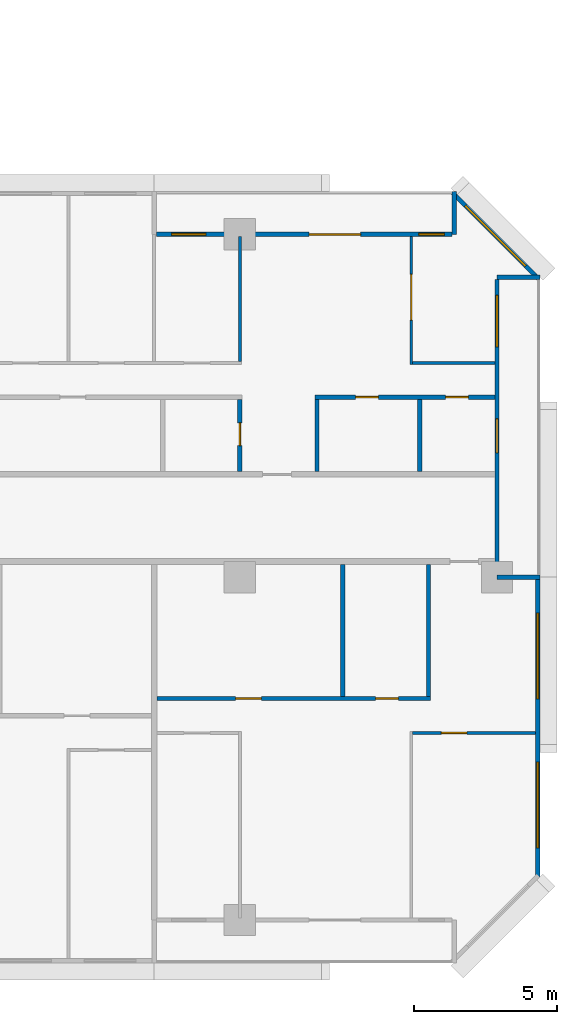
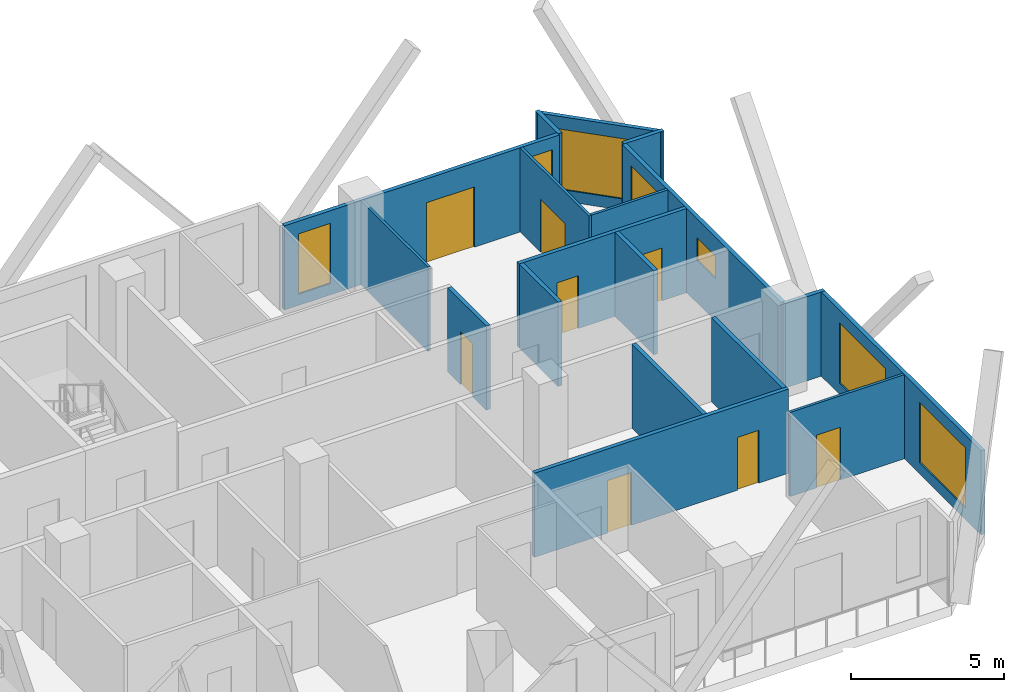
# One storey, part 12 of 15: 18 walls, 8 doors, 7 windows, 15 openings.
"""IFC4 building model written with IfcOpenShell, lengths in metres."""

from ifc_helpers import new_model, si_unit, direction, frame, frame_2d, origin, place, context, subcontext, project, spatial, rectangle, extrude, material, layer, layer_set, type_object, element, fill, save


model = new_model("IFC4")

# Units and contexts
model_context = context("Model", 3, precision=1e-05, world=origin(), true_north=direction((0.0, 1.0)))
body_context = subcontext(model_context, "Body", "Model", "MODEL_VIEW")
ifc_project = project(units=[si_unit("LENGTHUNIT", "METRE"), si_unit("AREAUNIT", "SQUARE_METRE"), si_unit("VOLUMEUNIT", "CUBIC_METRE"), si_unit("PLANEANGLEUNIT", "RADIAN"), si_unit("MASSUNIT", "GRAM", prefix="KILO")], contexts=[model_context])

# Site, building, storey
site_placement = place(None, origin())
site = spatial("IfcSite", under=ifc_project, at=site_placement, CompositionType="ELEMENT")
building_placement = place(site_placement, origin())
building = spatial("IfcBuilding", under=site, at=building_placement, Name="Chenar Terraces", CompositionType="ELEMENT")
storey_placement = place(building_placement, frame((0.0, 0.0, 56.39990234375)))
storey = spatial("IfcBuildingStorey", under=building, at=storey_placement, Name="L11", CompositionType="ELEMENT", Elevation=56.39990234375)

# Wall, openings, windows
ifc_material_1 = material(Name="Aluminium framed glazing", Category="aluminium")
ifc_layer_1 = layer(ifc_material_1, 0.14990234375)
ifc_layer_set_1 = layer_set([ifc_layer_1], Name="Aluminium framed glazing")
wall_type_1 = type_object("IfcWallType", Name="Glazed flush facade wall 150", PredefinedType="SOLIDWALL", material=ifc_layer_set_1)
wall_1_placement = place(storey_placement, frame((73.425048828125, 1.5, 0.0), z_axis=(0.0, 0.0, 1.0), x_axis=(0.0, 1.0, 0.0)))
wall_1 = element("IfcWall", 1, at=wall_1_placement, inside=storey, type_object=wall_type_1, Name="Glazed flush facade wall", PredefinedType="SOLIDWALL", context=body_context, shape_type="SweptSolid", body=[
    extrude(rectangle(XDim=10.425048828125, YDim=0.14990234375, at=frame_2d((5.21240234375, 0.0))), origin(), (0.0, 0.0, 1.0), 3.35009765625),
])
opening_1_placement = place(wall_1_placement, frame((1.02490234375, 0.0, 0.449951171875)))
opening_1 = element("IfcOpeningElement", 2, at=opening_1_placement, cuts=wall_1, Name="Opening W300x240", PredefinedType="OPENING", context=body_context, shape_type="SweptSolid", body=[
    extrude(rectangle(XDim=3.0, YDim=2.39990234375, at=frame_2d((1.5, 1.199951171875))), frame((0.0, 0.0849609375, 0.0), z_axis=(0.0, -1.0, 0.0), x_axis=(1.0, 0.0, 0.0)), (0.0, 0.0, 1.0), 0.169921875),
])
opening_2_placement = place(wall_1_placement, frame((6.237548828125, 0.0, 0.449951171875)))
opening_2 = element("IfcOpeningElement", 3, at=opening_2_placement, cuts=wall_1, Name="Opening W300x240", PredefinedType="OPENING", context=body_context, shape_type="SweptSolid", body=[
    extrude(rectangle(XDim=3.0, YDim=2.39990234375, at=frame_2d((1.5, 1.199951171875))), frame((0.0, 0.0849609375, 0.0), z_axis=(0.0, -1.0, 0.0), x_axis=(1.0, 0.0, 0.0)), (0.0, 0.0, 1.0), 0.169921875),
])
ifc_material_2 = material(Name="Low emissivity double glazing, aluminium frame", Category="aluminium")
window_type_1 = type_object("IfcWindowType", Name="Fixed light 3000 x 2400", PartitioningType="SINGLE_PANEL", PredefinedType="WINDOW", material=ifc_material_2)
window_1_placement = place(opening_1_placement, origin())
window_1 = element("IfcWindow", 4, at=window_1_placement, inside=storey, type_object=window_type_1, Name="Window", OverallHeight=2.39990234375, OverallWidth=3.0, PartitioningType="SINGLE_PANEL", PredefinedType="WINDOW", context=body_context, shape_type="SweptSolid", body=[
    extrude(rectangle(XDim=3.0, YDim=2.39990234375, at=frame_2d((1.5, 1.199951171875))), frame((0.0, 0.030029296875, 0.0), z_axis=(0.0, -1.0, 0.0), x_axis=(1.0, 0.0, 0.0)), (0.0, 0.0, 1.0), 0.06005859375),
])
fill(opening_1, window_1)
window_2_placement = place(opening_2_placement, origin())
window_2 = element("IfcWindow", 5, at=window_2_placement, inside=storey, type_object=window_type_1, Name="Window", OverallHeight=2.39990234375, OverallWidth=3.0, PartitioningType="SINGLE_PANEL", PredefinedType="WINDOW", context=body_context, shape_type="SweptSolid", body=[
    extrude(rectangle(XDim=3.0, YDim=2.39990234375, at=frame_2d((1.5, 1.199951171875))), frame((0.0, 0.030029296875, 0.0), z_axis=(0.0, -1.0, 0.0), x_axis=(1.0, 0.0, 0.0)), (0.0, 0.0, 1.0), 0.06005859375),
])
fill(opening_2, window_2)

# Wall, openings, windows, door
ifc_material_3 = material(Name="Aluminium framed glazing", Category="aluminium")
ifc_layer_2 = layer(ifc_material_3, 0.14990234375)
ifc_layer_set_2 = layer_set([ifc_layer_2], Name="Aluminium framed glazing")
wall_type_2 = type_object("IfcWallType", Name="Glazed loggia back wall 150", PredefinedType="SOLIDWALL", material=ifc_layer_set_2)
wall_2_placement = place(storey_placement, frame((70.425048828125, 24.0, 0.0), z_axis=(0.0, 0.0, 1.0), x_axis=(-1.0, 0.0, 0.0)))
wall_2 = element("IfcWall", 6, at=wall_2_placement, inside=storey, type_object=wall_type_2, Name="Glazed loggia back wall", PredefinedType="SOLIDWALL", context=body_context, shape_type="SweptSolid", body=[
    extrude(rectangle(XDim=10.35009765625, YDim=0.14990234375, at=frame_2d((5.175048828125, 0.0))), origin(), (0.0, 0.0, 1.0), 3.35009765625),
])
opening_3_placement = place(wall_2_placement, frame((0.262451171875, 0.0, 0.449951171875)))
opening_3 = element("IfcOpeningElement", 7, at=opening_3_placement, cuts=wall_2, Name="Opening W90x240", PredefinedType="OPENING", context=body_context, shape_type="SweptSolid", body=[
    extrude(rectangle(XDim=0.89990234375, YDim=2.39990234375, at=frame_2d((0.449951171875, 1.199951171875))), frame((0.0, 0.0849609375, 0.0), z_axis=(0.0, -1.0, 0.0), x_axis=(1.0, 0.0, 0.0)), (0.0, 0.0, 1.0), 0.169921875),
])
opening_4_placement = place(wall_2_placement, frame((3.199951171875, 0.0, 0.0)))
opening_4 = element("IfcOpeningElement", 8, at=opening_4_placement, cuts=wall_2, Name="Opening DL11-G1", PredefinedType="OPENING", context=body_context, shape_type="SweptSolid", body=[
    extrude(rectangle(XDim=1.800048828125, YDim=2.39990234375, at=frame_2d((0.89990234375, 1.199951171875))), frame((0.0, 0.0849609375, 0.0), z_axis=(0.0, -1.0, 0.0), x_axis=(1.0, 0.0, 0.0)), (0.0, 0.0, 1.0), 0.169921875),
])
opening_5_placement = place(wall_2_placement, frame((8.612548828125, 0.0, 0.449951171875)))
opening_5 = element("IfcOpeningElement", 9, at=opening_5_placement, cuts=wall_2, Name="Opening W120x240", PredefinedType="OPENING", context=body_context, shape_type="SweptSolid", body=[
    extrude(rectangle(XDim=1.199951171875, YDim=2.39990234375, at=frame_2d((0.60009765625, 1.199951171875))), frame((0.0, 0.0849609375, 0.0), z_axis=(0.0, -1.0, 0.0), x_axis=(1.0, 0.0, 0.0)), (0.0, 0.0, 1.0), 0.169921875),
])
ifc_material_4 = material(Name="Low emissivity double glazing, aluminium frame", Category="aluminium")
window_type_2 = type_object("IfcWindowType", Name="Fixed light 1200 x 2400", PartitioningType="SINGLE_PANEL", PredefinedType="WINDOW", material=ifc_material_4)
window_3_placement = place(opening_5_placement, origin())
window_3 = element("IfcWindow", 10, at=window_3_placement, inside=storey, type_object=window_type_2, Name="Window", OverallHeight=2.39990234375, OverallWidth=1.199951171875, PartitioningType="SINGLE_PANEL", PredefinedType="WINDOW", context=body_context, shape_type="SweptSolid", body=[
    extrude(rectangle(XDim=1.199951171875, YDim=2.39990234375, at=frame_2d((0.60009765625, 1.199951171875))), frame((0.0, 0.030029296875, 0.0), z_axis=(0.0, -1.0, 0.0), x_axis=(1.0, 0.0, 0.0)), (0.0, 0.0, 1.0), 0.06005859375),
])
fill(opening_5, window_3)
ifc_material_5 = material(Name="Low emissivity double glazing, aluminium frame", Category="aluminium")
window_type_3 = type_object("IfcWindowType", Name="Fixed light 900 x 2400", PartitioningType="SINGLE_PANEL", PredefinedType="WINDOW", material=ifc_material_5)
window_4_placement = place(opening_3_placement, origin())
window_4 = element("IfcWindow", 11, at=window_4_placement, inside=storey, type_object=window_type_3, Name="Window", OverallHeight=2.39990234375, OverallWidth=0.89990234375, PartitioningType="SINGLE_PANEL", PredefinedType="WINDOW", context=body_context, shape_type="SweptSolid", body=[
    extrude(rectangle(XDim=0.89990234375, YDim=2.39990234375, at=frame_2d((0.449951171875, 1.199951171875))), frame((0.0, 0.030029296875, 0.0), z_axis=(0.0, -1.0, 0.0), x_axis=(1.0, 0.0, 0.0)), (0.0, 0.0, 1.0), 0.06005859375),
])
fill(opening_3, window_4)
ifc_material_6 = material(Name="Low emissivity double glazing, aluminium frame", Category="aluminium")
door_type_1 = type_object("IfcDoorType", Name="Loggia glazed double door 1800 x 2400", OperationType="DOUBLE_DOOR_SINGLE_SWING", PredefinedType="DOOR", material=ifc_material_6)
door_1_placement = place(opening_4_placement, frame((1.800048828125, 0.0, 0.0), z_axis=(0.0, 0.0, 1.0), x_axis=(-1.0, 0.0, 0.0)))
door_1 = element("IfcDoor", 12, at=door_1_placement, inside=storey, type_object=door_type_1, Name="Loggia glazed door", OperationType="DOUBLE_DOOR_SINGLE_SWING", OverallHeight=2.39990234375, OverallWidth=1.800048828125, PredefinedType="DOOR", context=body_context, shape_type="SweptSolid", body=[
    extrude(rectangle(XDim=1.800048828125, YDim=2.39990234375, at=frame_2d((0.89990234375, 1.199951171875))), frame((0.0, 0.02490234375, 0.0), z_axis=(0.0, -1.0, 0.0), x_axis=(1.0, 0.0, 0.0)), (0.0, 0.0, 1.0), 0.050048828125),
])
fill(opening_4, door_1)

# Wall, openings, windows
wall_3_placement = place(storey_placement, frame((72.0, 12.074951171875, 0.0), z_axis=(0.0, 0.0, 1.0), x_axis=(0.0, 1.0, 0.0)))
wall_3 = element("IfcWall", 13, at=wall_3_placement, inside=storey, type_object=wall_type_2, Name="Glazed loggia back wall", PredefinedType="SOLIDWALL", context=body_context, shape_type="SweptSolid", body=[
    extrude(rectangle(XDim=10.35009765625, YDim=0.14990234375, at=frame_2d((5.175048828125, 0.0))), origin(), (0.0, 0.0, 1.0), 3.35009765625),
])
opening_6_placement = place(wall_3_placement, frame((4.27490234375, 0.0, 1.699951171875)))
opening_6 = element("IfcOpeningElement", 14, at=opening_6_placement, cuts=wall_3, Name="Opening W120x90", PredefinedType="OPENING", context=body_context, shape_type="SweptSolid", body=[
    extrude(rectangle(XDim=1.199951171875, YDim=0.89990234375, at=frame_2d((0.60009765625, 0.449951171875))), frame((0.0, 0.0849609375, 0.0), z_axis=(0.0, -1.0, 0.0), x_axis=(1.0, 0.0, 0.0)), (0.0, 0.0, 1.0), 0.169921875),
])
opening_7_placement = place(wall_3_placement, frame((7.987548828125, 0.0, 0.449951171875)))
opening_7 = element("IfcOpeningElement", 15, at=opening_7_placement, cuts=wall_3, Name="Opening W180x240", PredefinedType="OPENING", context=body_context, shape_type="SweptSolid", body=[
    extrude(rectangle(XDim=1.800048828125, YDim=2.39990234375, at=frame_2d((0.89990234375, 1.199951171875))), frame((0.0, 0.0849609375, 0.0), z_axis=(0.0, -1.0, 0.0), x_axis=(1.0, 0.0, 0.0)), (0.0, 0.0, 1.0), 0.169921875),
])
ifc_material_7 = material(Name="Low emissivity double glazing, aluminium frame", Category="aluminium")
window_type_4 = type_object("IfcWindowType", Name="Fixed light 1200 x 900", PartitioningType="SINGLE_PANEL", PredefinedType="WINDOW", material=ifc_material_7)
window_5_placement = place(opening_6_placement, origin())
window_5 = element("IfcWindow", 16, at=window_5_placement, inside=storey, type_object=window_type_4, Name="Window", OverallHeight=0.89990234375, OverallWidth=1.199951171875, PartitioningType="SINGLE_PANEL", PredefinedType="WINDOW", context=body_context, shape_type="SweptSolid", body=[
    extrude(rectangle(XDim=1.199951171875, YDim=0.89990234375, at=frame_2d((0.60009765625, 0.449951171875))), frame((0.0, 0.030029296875, 0.0), z_axis=(0.0, -1.0, 0.0), x_axis=(1.0, 0.0, 0.0)), (0.0, 0.0, 1.0), 0.06005859375),
])
fill(opening_6, window_5)
ifc_material_8 = material(Name="Low emissivity double glazing, aluminium frame", Category="aluminium")
window_type_5 = type_object("IfcWindowType", Name="Fixed light 1800 x 2400", PartitioningType="SINGLE_PANEL", PredefinedType="WINDOW", material=ifc_material_8)
window_6_placement = place(opening_7_placement, origin())
window_6 = element("IfcWindow", 17, at=window_6_placement, inside=storey, type_object=window_type_5, Name="Window", OverallHeight=2.39990234375, OverallWidth=1.800048828125, PartitioningType="SINGLE_PANEL", PredefinedType="WINDOW", context=body_context, shape_type="SweptSolid", body=[
    extrude(rectangle(XDim=1.800048828125, YDim=2.39990234375, at=frame_2d((0.89990234375, 1.199951171875))), frame((0.0, 0.030029296875, 0.0), z_axis=(0.0, -1.0, 0.0), x_axis=(1.0, 0.0, 0.0)), (0.0, 0.0, 1.0), 0.06005859375),
])
fill(opening_7, window_6)

# Wall
ifc_material_9 = material(Name="Gypsum board on steel studs", Category="steel")
ifc_layer_3 = layer(ifc_material_9, 0.10009765625)
ifc_layer_set_3 = layer_set([ifc_layer_3], Name="Gypsum board on steel studs")
wall_type_3 = type_object("IfcWallType", Name="Gypsum partition 100", PredefinedType="PARTITIONING", material=ifc_layer_set_3)
wall_4_placement = place(storey_placement, frame((63.0, 19.550048828125, 0.0), z_axis=(0.0, 0.0, 1.0), x_axis=(0.0, 1.0, 0.0)))
element("IfcWall", 18, at=wall_4_placement, inside=storey, type_object=wall_type_3, Name="Partition L11-092", PredefinedType="PARTITIONING", context=body_context, shape_type="SweptSolid", body=[
    extrude(rectangle(XDim=4.3759765625, YDim=0.10009765625, at=frame_2d((2.18798828125, 0.0))), origin(), (0.0, 0.0, 1.0), 3.35009765625),
])

# Wall, opening, door
wall_5_placement = place(storey_placement, frame((69.0, 19.449951171875, 0.0), z_axis=(0.0, 0.0, 1.0), x_axis=(0.0, 1.0, 0.0)))
wall_5 = element("IfcWall", 19, at=wall_5_placement, inside=storey, type_object=wall_type_3, Name="Partition L11-097", PredefinedType="PARTITIONING", context=body_context, shape_type="SweptSolid", body=[
    extrude(rectangle(XDim=4.47607421875, YDim=0.10009765625, at=frame_2d((2.238037109375, 0.0))), origin(), (0.0, 0.0, 1.0), 3.35009765625),
])
opening_8_placement = place(wall_5_placement, frame((1.550048828125, 0.0, 0.0)))
opening_8 = element("IfcOpeningElement", 20, at=opening_8_placement, cuts=wall_5, Name="Opening DL11-11", PredefinedType="OPENING", context=body_context, shape_type="SweptSolid", body=[
    extrude(rectangle(XDim=1.60009765625, YDim=2.10009765625, at=frame_2d((0.800048828125, 1.050048828125))), frame((0.0, 0.06005859375, 0.0), z_axis=(0.0, -1.0, 0.0), x_axis=(1.0, 0.0, 0.0)), (0.0, 0.0, 1.0), 0.1201171875),
])
ifc_material_10 = material(Name="Veneered timber door leaf", Category="wood")
door_type_2 = type_object("IfcDoorType", Name="Double door 1600 x 2100", OperationType="DOUBLE_DOOR_SINGLE_SWING", PredefinedType="DOOR", material=ifc_material_10)
door_2_placement = place(opening_8_placement, frame((1.60009765625, 0.0, 0.0), z_axis=(0.0, 0.0, 1.0), x_axis=(-1.0, 0.0, 0.0)))
door_2 = element("IfcDoor", 21, at=door_2_placement, inside=storey, type_object=door_type_2, Name="Door DL11-11", OperationType="DOUBLE_DOOR_SINGLE_SWING", OverallHeight=2.10009765625, OverallWidth=1.60009765625, PredefinedType="DOOR", context=body_context, shape_type="SweptSolid", body=[
    extrude(rectangle(XDim=1.60009765625, YDim=2.10009765625, at=frame_2d((0.800048828125, 1.050048828125))), frame((0.0, 0.02490234375, 0.0), z_axis=(0.0, -1.0, 0.0), x_axis=(1.0, 0.0, 0.0)), (0.0, 0.0, 1.0), 0.050048828125),
])
fill(opening_8, door_2)

wall_6_placement = place(storey_placement, frame((69.050048828125, 6.550048828125, 0.0), z_axis=(0.0, 0.0, 1.0), x_axis=(1.0, 0.0, 0.0)))
wall_6 = element("IfcWall", 22, at=wall_6_placement, inside=storey, type_object=wall_type_3, Name="Partition L11-098", PredefinedType="PARTITIONING", context=body_context, shape_type="SweptSolid", body=[
    extrude(rectangle(XDim=4.300048828125, YDim=0.10009765625, at=frame_2d((2.14990234375, 0.0))), origin(), (0.0, 0.0, 1.0), 3.35009765625),
])
opening_9_placement = place(wall_6_placement, frame((1.0, 0.0, 0.0)))
opening_9 = element("IfcOpeningElement", 23, at=opening_9_placement, cuts=wall_6, Name="Opening DL11-20", PredefinedType="OPENING", context=body_context, shape_type="SweptSolid", body=[
    extrude(rectangle(XDim=0.89990234375, YDim=2.10009765625, at=frame_2d((0.449951171875, 1.050048828125))), frame((0.0, 0.06005859375, 0.0), z_axis=(0.0, -1.0, 0.0), x_axis=(1.0, 0.0, 0.0)), (0.0, 0.0, 1.0), 0.1201171875),
])
ifc_material_11 = material(Name="Veneered timber door leaf", Category="wood")
door_type_3 = type_object("IfcDoorType", Name="Door 900 x 2100", OperationType="SINGLE_SWING_LEFT", PredefinedType="DOOR", material=ifc_material_11)
door_3_placement = place(opening_9_placement, frame((0.89990234375, 0.0, 0.0), z_axis=(0.0, 0.0, 1.0), x_axis=(-1.0, 0.0, 0.0)))
door_3 = element("IfcDoor", 24, at=door_3_placement, inside=storey, type_object=door_type_3, Name="Door DL11-20", OperationType="SINGLE_SWING_RIGHT", OverallHeight=2.10009765625, OverallWidth=0.89990234375, PredefinedType="DOOR", context=body_context, shape_type="SweptSolid", body=[
    extrude(rectangle(XDim=0.89990234375, YDim=2.10009765625, at=frame_2d((0.449951171875, 1.050048828125))), frame((0.0, 0.02490234375, 0.0), z_axis=(0.0, -1.0, 0.0), x_axis=(1.0, 0.0, 0.0)), (0.0, 0.0, 1.0), 0.050048828125),
])
fill(opening_9, door_3)

# Walls
wall_7_placement = place(storey_placement, frame((69.050048828125, 19.5, 0.0), z_axis=(0.0, 0.0, 1.0), x_axis=(1.0, 0.0, 0.0)))
element("IfcWall", 25, at=wall_7_placement, inside=storey, type_object=wall_type_3, Name="Partition L11-099", PredefinedType="PARTITIONING", context=body_context, shape_type="SweptSolid", body=[
    extrude(rectangle(XDim=2.8759765625, YDim=0.10009765625, at=frame_2d((1.43798828125, 0.0))), origin(), (0.0, 0.0, 1.0), 3.35009765625),
])
ifc_material_12 = material(Name="Terracotta cladding on insulated backing", Category="masonry")
ifc_layer_4 = layer(ifc_material_12, 0.14990234375)
ifc_layer_set_4 = layer_set([ifc_layer_4], Name="Terracotta cladding on insulated backing")
wall_type_4 = type_object("IfcWallType", Name="Loggia return wall 150", PredefinedType="SOLIDWALL", material=ifc_layer_set_4)
for number, where, z_axis, x_axis, name in (
    (26, (70.5, 25.5, 0.0), (0.0, 0.0, 1.0), (0.0, -1.0, 0.0), "Loggia return wall"),
    (27, (73.5, 12.0, 0.0), (0.0, 0.0, 1.0), (-1.0, 0.0, 0.0), "Loggia return wall"),
    (28, (73.5, 22.5, 0.0), (0.0, 0.0, 1.0), (-1.0, 0.0, 0.0), "Loggia return wall"),
):
    element("IfcWall", number, at=place(storey_placement, frame(where, z_axis=z_axis, x_axis=x_axis)), inside=storey, type_object=wall_type_4, Name=name, PredefinedType="SOLIDWALL", context=body_context, shape_type="SweptSolid", body=[
        extrude(rectangle(XDim=1.5, YDim=0.14990234375, at=frame_2d((0.75, 0.0))), origin(), (0.0, 0.0, 1.0), 3.35009765625),
    ])

# Wall, opening, window
ifc_material_13 = material(Name="Terracotta cladding on insulated backing", Category="masonry")
ifc_layer_5 = layer(ifc_material_13, 0.14990234375)
ifc_layer_set_5 = layer_set([ifc_layer_5], Name="Terracotta cladding on insulated backing")
wall_type_5 = type_object("IfcWallType", Name="Terracotta rainscreen wall 150", PredefinedType="SOLIDWALL", material=ifc_layer_set_5)
wall_8_placement = place(storey_placement, frame((73.447021484375, 22.447021484375, 0.0), z_axis=(0.0, 0.0, 1.0), x_axis=(-0.707106781187, 0.707106781187, 0.0)))
wall_8 = element("IfcWall", 29, at=wall_8_placement, inside=storey, type_object=wall_type_5, Name="Terracotta rainscreen wall", PredefinedType="SOLIDWALL", context=body_context, shape_type="SweptSolid", body=[
    extrude(rectangle(XDim=4.24267578125, YDim=0.14990234375, at=frame_2d((2.121337890625, 0.0))), origin(), (0.0, 0.0, 1.0), 3.35009765625),
])
opening_10_placement = place(wall_8_placement, frame((0.621337890625, 0.0, 0.449951171875)))
opening_10 = element("IfcOpeningElement", 30, at=opening_10_placement, cuts=wall_8, Name="Opening W300x240", PredefinedType="OPENING", context=body_context, shape_type="SweptSolid", body=[
    extrude(rectangle(XDim=3.0, YDim=2.39990234375, at=frame_2d((1.5, 1.199951171875))), frame((0.0, 0.0849609375, 0.0), z_axis=(0.0, -1.0, 0.0), x_axis=(1.0, 0.0, 0.0)), (0.0, 0.0, 1.0), 0.169921875),
])
window_7_placement = place(opening_10_placement, origin())
window_7 = element("IfcWindow", 31, at=window_7_placement, inside=storey, type_object=window_type_1, Name="Window", OverallHeight=2.39990234375, OverallWidth=3.0, PartitioningType="SINGLE_PANEL", PredefinedType="WINDOW", context=body_context, shape_type="SweptSolid", body=[
    extrude(rectangle(XDim=3.0, YDim=2.39990234375, at=frame_2d((1.5, 1.199951171875))), frame((0.0, 0.030029296875, 0.0), z_axis=(0.0, -1.0, 0.0), x_axis=(1.0, 0.0, 0.0)), (0.0, 0.0, 1.0), 0.06005859375),
])
fill(opening_10, window_7)

# Wall, openings, doors
ifc_material_14 = material(Name="Moisture-resistant gypsum board on steel studs", Category="steel")
ifc_layer_6 = layer(ifc_material_14, 0.14990234375)
ifc_layer_set_6 = layer_set([ifc_layer_6], Name="Moisture-resistant gypsum board on steel studs")
wall_type_6 = type_object("IfcWallType", Name="Wet-room partition 150", PredefinedType="PARTITIONING", material=ifc_layer_set_6)
wall_9_placement = place(storey_placement, frame((60.10009765625, 7.75, 0.0), z_axis=(0.0, 0.0, 1.0), x_axis=(1.0, 0.0, 0.0)))
wall_9 = element("IfcWall", 32, at=wall_9_placement, inside=storey, type_object=wall_type_6, Name="Partition L11-088", PredefinedType="PARTITIONING", context=body_context, shape_type="SweptSolid", body=[
    extrude(rectangle(XDim=9.574951171875, YDim=0.14990234375, at=frame_2d((4.78759765625, 0.0))), origin(), (0.0, 0.0, 1.0), 3.35009765625),
])
opening_11_placement = place(wall_9_placement, frame((7.64990234375, 0.0, 0.0)))
opening_11 = element("IfcOpeningElement", 33, at=opening_11_placement, cuts=wall_9, Name="Opening DL11-18", PredefinedType="OPENING", context=body_context, shape_type="SweptSolid", body=[
    extrude(rectangle(XDim=0.800048828125, YDim=2.10009765625, at=frame_2d((0.39990234375, 1.050048828125))), frame((0.0, 0.0849609375, 0.0), z_axis=(0.0, -1.0, 0.0), x_axis=(1.0, 0.0, 0.0)), (0.0, 0.0, 1.0), 0.169921875),
])
opening_12_placement = place(wall_9_placement, frame((2.75, 0.0, 0.0)))
opening_12 = element("IfcOpeningElement", 34, at=opening_12_placement, cuts=wall_9, Name="Opening DL11-21", PredefinedType="OPENING", context=body_context, shape_type="SweptSolid", body=[
    extrude(rectangle(XDim=0.89990234375, YDim=2.10009765625, at=frame_2d((0.449951171875, 1.050048828125))), frame((0.0, 0.0849609375, 0.0), z_axis=(0.0, -1.0, 0.0), x_axis=(1.0, 0.0, 0.0)), (0.0, 0.0, 1.0), 0.169921875),
])
ifc_material_15 = material(Name="Veneered timber door leaf", Category="wood")
door_type_4 = type_object("IfcDoorType", Name="Door 800 x 2100", OperationType="SINGLE_SWING_LEFT", PredefinedType="DOOR", material=ifc_material_15)
door_4_placement = place(opening_11_placement, origin())
door_4 = element("IfcDoor", 35, at=door_4_placement, inside=storey, type_object=door_type_4, Name="Door DL11-18", OperationType="SINGLE_SWING_RIGHT", OverallHeight=2.10009765625, OverallWidth=0.800048828125, PredefinedType="DOOR", context=body_context, shape_type="SweptSolid", body=[
    extrude(rectangle(XDim=0.800048828125, YDim=2.10009765625, at=frame_2d((0.39990234375, 1.050048828125))), frame((0.0, 0.02490234375, 0.0), z_axis=(0.0, -1.0, 0.0), x_axis=(1.0, 0.0, 0.0)), (0.0, 0.0, 1.0), 0.050048828125),
])
fill(opening_11, door_4)
door_5_placement = place(opening_12_placement, origin())
door_5 = element("IfcDoor", 36, at=door_5_placement, inside=storey, type_object=door_type_3, Name="Door DL11-21", OperationType="SINGLE_SWING_RIGHT", OverallHeight=2.10009765625, OverallWidth=0.89990234375, PredefinedType="DOOR", context=body_context, shape_type="SweptSolid", body=[
    extrude(rectangle(XDim=0.89990234375, YDim=2.10009765625, at=frame_2d((0.449951171875, 1.050048828125))), frame((0.0, 0.02490234375, 0.0), z_axis=(0.0, -1.0, 0.0), x_axis=(1.0, 0.0, 0.0)), (0.0, 0.0, 1.0), 0.050048828125),
])
fill(opening_12, door_5)

# Wall, opening, door
wall_10_placement = place(storey_placement, frame((63.0, 15.699951171875, 0.0), z_axis=(0.0, 0.0, 1.0), x_axis=(0.0, 1.0, 0.0)))
wall_10 = element("IfcWall", 37, at=wall_10_placement, inside=storey, type_object=wall_type_6, Name="Partition L11-091", PredefinedType="PARTITIONING", context=body_context, shape_type="SweptSolid", body=[
    extrude(rectangle(XDim=2.525146484375, YDim=0.14990234375, at=frame_2d((1.2626953125, 0.0))), origin(), (0.0, 0.0, 1.0), 3.35009765625),
])
opening_13_placement = place(wall_10_placement, frame((0.89990234375, 0.0, 0.0)))
opening_13 = element("IfcOpeningElement", 38, at=opening_13_placement, cuts=wall_10, Name="Opening DL11-12", PredefinedType="OPENING", context=body_context, shape_type="SweptSolid", body=[
    extrude(rectangle(XDim=0.800048828125, YDim=2.10009765625, at=frame_2d((0.39990234375, 1.050048828125))), frame((0.0, 0.0849609375, 0.0), z_axis=(0.0, -1.0, 0.0), x_axis=(1.0, 0.0, 0.0)), (0.0, 0.0, 1.0), 0.169921875),
])
door_6_placement = place(opening_13_placement, origin())
door_6 = element("IfcDoor", 39, at=door_6_placement, inside=storey, type_object=door_type_4, Name="Door DL11-12", OperationType="SINGLE_SWING_RIGHT", OverallHeight=2.10009765625, OverallWidth=0.800048828125, PredefinedType="DOOR", context=body_context, shape_type="SweptSolid", body=[
    extrude(rectangle(XDim=0.800048828125, YDim=2.10009765625, at=frame_2d((0.39990234375, 1.050048828125))), frame((0.0, 0.02490234375, 0.0), z_axis=(0.0, -1.0, 0.0), x_axis=(1.0, 0.0, 0.0)), (0.0, 0.0, 1.0), 0.050048828125),
])
fill(opening_13, door_6)

# Wall, openings, doors
wall_11_placement = place(storey_placement, frame((65.625, 18.300048828125, 0.0), z_axis=(0.0, 0.0, 1.0), x_axis=(1.0, 0.0, 0.0)))
wall_11 = element("IfcWall", 40, at=wall_11_placement, inside=storey, type_object=wall_type_6, Name="Partition L11-093", PredefinedType="PARTITIONING", context=body_context, shape_type="SweptSolid", body=[
    extrude(rectangle(XDim=6.301025390625, YDim=0.14990234375, at=frame_2d((3.150390625, 0.0))), origin(), (0.0, 0.0, 1.0), 3.35009765625),
])
opening_14_placement = place(wall_11_placement, frame((1.425048828125, 0.0, 0.0)))
opening_14 = element("IfcOpeningElement", 41, at=opening_14_placement, cuts=wall_11, Name="Opening DL11-4", PredefinedType="OPENING", context=body_context, shape_type="SweptSolid", body=[
    extrude(rectangle(XDim=0.800048828125, YDim=2.10009765625, at=frame_2d((0.39990234375, 1.050048828125))), frame((0.0, 0.0849609375, 0.0), z_axis=(0.0, -1.0, 0.0), x_axis=(1.0, 0.0, 0.0)), (0.0, 0.0, 1.0), 0.169921875),
])
opening_15_placement = place(wall_11_placement, frame((4.574951171875, 0.0, 0.0)))
opening_15 = element("IfcOpeningElement", 42, at=opening_15_placement, cuts=wall_11, Name="Opening DL11-9", PredefinedType="OPENING", context=body_context, shape_type="SweptSolid", body=[
    extrude(rectangle(XDim=0.800048828125, YDim=2.10009765625, at=frame_2d((0.39990234375, 1.050048828125))), frame((0.0, 0.0849609375, 0.0), z_axis=(0.0, -1.0, 0.0), x_axis=(1.0, 0.0, 0.0)), (0.0, 0.0, 1.0), 0.169921875),
])
door_7_placement = place(opening_14_placement, frame((0.800048828125, 0.0, 0.0), z_axis=(0.0, 0.0, 1.0), x_axis=(-1.0, 0.0, 0.0)))
door_7 = element("IfcDoor", 43, at=door_7_placement, inside=storey, type_object=door_type_4, Name="Door DL11-4", OperationType="SINGLE_SWING_RIGHT", OverallHeight=2.10009765625, OverallWidth=0.800048828125, PredefinedType="DOOR", context=body_context, shape_type="SweptSolid", body=[
    extrude(rectangle(XDim=0.800048828125, YDim=2.10009765625, at=frame_2d((0.39990234375, 1.050048828125))), frame((0.0, 0.02490234375, 0.0), z_axis=(0.0, -1.0, 0.0), x_axis=(1.0, 0.0, 0.0)), (0.0, 0.0, 1.0), 0.050048828125),
])
fill(opening_14, door_7)
door_8_placement = place(opening_15_placement, frame((0.800048828125, 0.0, 0.0), z_axis=(0.0, 0.0, 1.0), x_axis=(-1.0, 0.0, 0.0)))
door_8 = element("IfcDoor", 44, at=door_8_placement, inside=storey, type_object=door_type_4, Name="Door DL11-9", OperationType="SINGLE_SWING_RIGHT", OverallHeight=2.10009765625, OverallWidth=0.800048828125, PredefinedType="DOOR", context=body_context, shape_type="SweptSolid", body=[
    extrude(rectangle(XDim=0.800048828125, YDim=2.10009765625, at=frame_2d((0.39990234375, 1.050048828125))), frame((0.0, 0.02490234375, 0.0), z_axis=(0.0, -1.0, 0.0), x_axis=(1.0, 0.0, 0.0)), (0.0, 0.0, 1.0), 0.050048828125),
])
fill(opening_15, door_8)

# Walls
wall_12_placement = place(storey_placement, frame((65.699951171875, 15.699951171875, 0.0), z_axis=(0.0, 0.0, 1.0), x_axis=(0.0, 1.0, 0.0)))
element("IfcWall", 45, at=wall_12_placement, inside=storey, type_object=wall_type_6, Name="Partition L11-094", PredefinedType="PARTITIONING", context=body_context, shape_type="SweptSolid", body=[
    extrude(rectangle(XDim=2.525146484375, YDim=0.14990234375, at=frame_2d((1.2626953125, 0.0))), origin(), (0.0, 0.0, 1.0), 3.35009765625),
])
wall_13_placement = place(storey_placement, frame((66.60009765625, 7.824951171875, 0.0), z_axis=(0.0, 0.0, 1.0), x_axis=(0.0, 1.0, 0.0)))
element("IfcWall", 46, at=wall_13_placement, inside=storey, type_object=wall_type_6, Name="Partition L11-095", PredefinedType="PARTITIONING", context=body_context, shape_type="SweptSolid", body=[
    extrude(rectangle(XDim=4.625, YDim=0.14990234375, at=frame_2d((2.3125, 0.0))), origin(), (0.0, 0.0, 1.0), 3.35009765625),
])
wall_14_placement = place(storey_placement, frame((69.300048828125, 15.699951171875, 0.0), z_axis=(0.0, 0.0, 1.0), x_axis=(0.0, 1.0, 0.0)))
element("IfcWall", 47, at=wall_14_placement, inside=storey, type_object=wall_type_6, Name="Partition L11-100", PredefinedType="PARTITIONING", context=body_context, shape_type="SweptSolid", body=[
    extrude(rectangle(XDim=2.525146484375, YDim=0.14990234375, at=frame_2d((1.2626953125, 0.0))), origin(), (0.0, 0.0, 1.0), 3.35009765625),
])
wall_15_placement = place(storey_placement, frame((69.60009765625, 7.824951171875, 0.0), z_axis=(0.0, 0.0, 1.0), x_axis=(0.0, 1.0, 0.0)))
element("IfcWall", 48, at=wall_15_placement, inside=storey, type_object=wall_type_6, Name="Partition L11-101", PredefinedType="PARTITIONING", context=body_context, shape_type="SweptSolid", body=[
    extrude(rectangle(XDim=4.625, YDim=0.14990234375, at=frame_2d((2.3125, 0.0))), origin(), (0.0, 0.0, 1.0), 3.35009765625),
])

save(model, "model.ifc")
